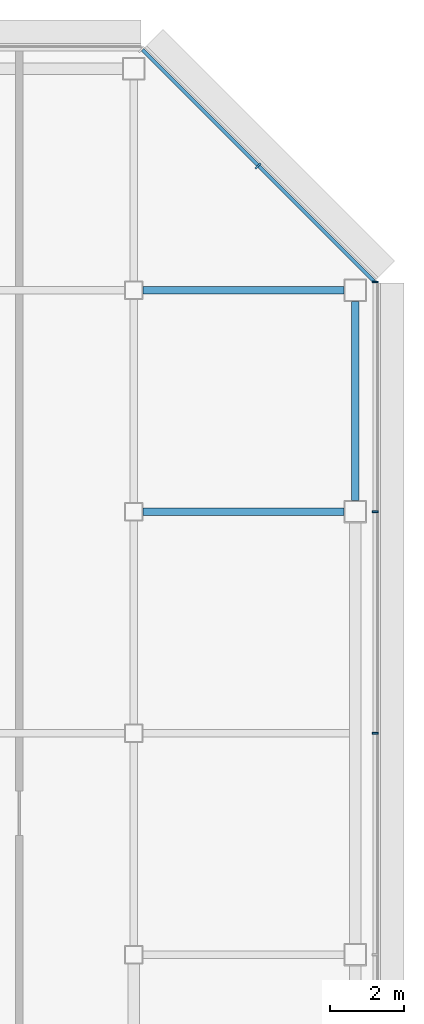
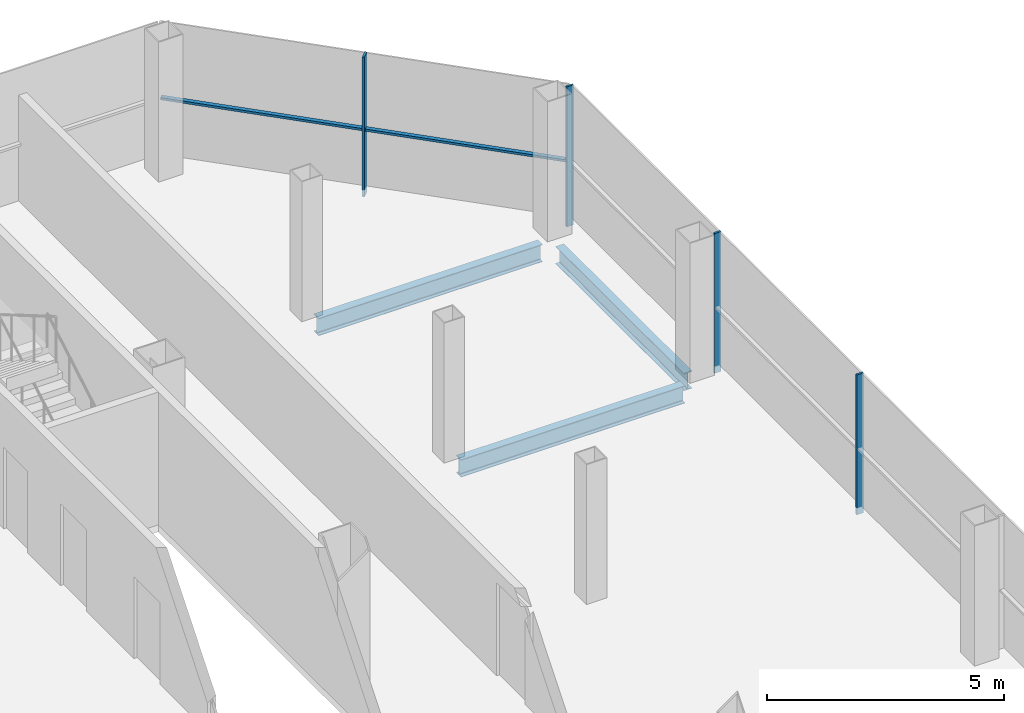
# One storey, part 20 of 30: 5 members, 3 beams, 2 elements without a shape of their own.
"""IFC4 building model written with IfcOpenShell, lengths in metres."""

from ifc_helpers import new_model, si_unit, direction, frame, origin, origin_2d, place, context, subcontext, project, spatial, rectangle, i_section, extrude, material, material_profile, profile_set, type_object, element, aggregate, save


model = new_model("IFC4")

# Units and contexts
model_context = context("Model", 3, precision=1e-05, world=origin(), true_north=direction((0.0, 1.0)))
body_context = subcontext(model_context, "Body", "Model", "MODEL_VIEW")
ifc_project = project(units=[si_unit("LENGTHUNIT", "METRE"), si_unit("AREAUNIT", "SQUARE_METRE"), si_unit("VOLUMEUNIT", "CUBIC_METRE"), si_unit("PLANEANGLEUNIT", "RADIAN"), si_unit("MASSUNIT", "GRAM", prefix="KILO")], contexts=[model_context])

# Site, building, storey
site_placement = place(None, origin())
site = spatial("IfcSite", under=ifc_project, at=site_placement, CompositionType="ELEMENT")
building_placement = place(site_placement, origin())
building = spatial("IfcBuilding", under=site, at=building_placement, Name="Sorahane Residences", CompositionType="ELEMENT")
storey_placement = place(building_placement, frame((0.0, 0.0, 263.0)))
storey = spatial("IfcBuildingStorey", under=building, at=storey_placement, Name="L62", CompositionType="ELEMENT", Elevation=263.0)

# Curtain wall, members
ifc_material_1 = material(Name="Dark low-e glass and black anodised aluminium", Category="aluminium")
curtain_wall_type_1 = type_object("IfcCurtainWallType", Name="Curtain wall CW-1 Typical unitised wall", PredefinedType="NOTDEFINED", material=ifc_material_1)
curtain_wall_1_placement = place(storey_placement, origin())
curtain_wall_1 = element("IfcCurtainWall", 1, at=curtain_wall_1_placement, inside=storey, type_object=curtain_wall_type_1, Name="CW-1 curtain wall L62 E2", PredefinedType="NOTDEFINED")
ifc_material_2 = material(Name="Black anodised aluminium", Category="aluminium")
ifc_material_profile_1 = material_profile(ifc_material_2, rectangle(XDim=0.159912109375, YDim=0.050048828125, at=origin_2d()), Name="Curtain wall mullion CW-1 black anodised aluminium 50x160")
ifc_profile_set_1 = profile_set([ifc_material_profile_1], Name="Black anodised aluminium")
member_type_1 = type_object("IfcMemberType", Name="Curtain wall mullion CW-1 black anodised aluminium 50x160", PredefinedType="MULLION", material=ifc_profile_set_1)
member_1_placement = place(storey_placement, frame((54.5400390625, 30.0, -0.179931640625), z_axis=(0.0, 0.0, 1.0), x_axis=(1.0, 0.0, 0.0)))
member_1 = element("IfcMember", 2, at=member_1_placement, type_object=member_type_1, Name="CW-1 mullion L62 E2.5", PredefinedType="MULLION", context=body_context, shape_type="SweptSolid", body=[
    extrude(rectangle(XDim=0.159912109375, YDim=0.050048828125, at=origin_2d()), origin(), (0.0, 0.0, 1.0), 3.599853515625),
])
member_2_placement = place(storey_placement, frame((54.5400390625, 36.0, -0.179931640625), z_axis=(0.0, 0.0, 1.0), x_axis=(1.0, 0.0, 0.0)))
member_2 = element("IfcMember", 3, at=member_2_placement, type_object=member_type_1, Name="CW-1 mullion L62 E2.6", PredefinedType="MULLION", context=body_context, shape_type="SweptSolid", body=[
    extrude(rectangle(XDim=0.159912109375, YDim=0.050048828125, at=origin_2d()), origin(), (0.0, 0.0, 1.0), 3.599853515625),
])
member_3_placement = place(storey_placement, frame((54.5400390625, 42.2236328125, -0.179931640625), z_axis=(0.0, 0.0, 1.0), x_axis=(1.0, 0.0, 0.0)))
member_3 = element("IfcMember", 4, at=member_3_placement, type_object=member_type_1, Name="CW-1 mullion L62 E2.7", PredefinedType="MULLION", context=body_context, shape_type="SweptSolid", body=[
    extrude(rectangle(XDim=0.159912109375, YDim=0.050048828125, at=origin_2d()), origin(), (0.0, 0.0, 1.0), 3.599853515625),
])
aggregate(curtain_wall_1, [member_1, member_2, member_3])

ifc_material_3 = material(Name="Dark low-e glass and black anodised aluminium", Category="aluminium")
curtain_wall_type_2 = type_object("IfcCurtainWallType", Name="Curtain wall CW-2 Chamfer unitised wall", PredefinedType="NOTDEFINED", material=ifc_material_3)
curtain_wall_2_placement = place(storey_placement, origin())
curtain_wall_2 = element("IfcCurtainWall", 5, at=curtain_wall_2_placement, inside=storey, type_object=curtain_wall_type_2, Name="CW-2 curtain wall L62 NE1", PredefinedType="NOTDEFINED")
ifc_material_4 = material(Name="Black anodised aluminium", Category="aluminium")
ifc_material_profile_2 = material_profile(ifc_material_4, rectangle(XDim=0.199951171875, YDim=0.050048828125, at=origin_2d()), Name="Curtain wall mullion CW-2 black anodised aluminium 50x200")
ifc_profile_set_2 = profile_set([ifc_material_profile_2], Name="Black anodised aluminium")
member_type_2 = type_object("IfcMemberType", Name="Curtain wall mullion CW-2 black anodised aluminium 50x200", PredefinedType="MULLION", material=ifc_profile_set_2)
member_4_placement = place(storey_placement, frame((51.36767578125, 45.36767578125, -0.179931640625), z_axis=(0.0, 0.0, 1.0), x_axis=(0.707106781187, 0.707106781187, 0.0)))
member_4 = element("IfcMember", 6, at=member_4_placement, type_object=member_type_2, Name="CW-2 mullion L62 NE1.2", PredefinedType="MULLION", context=body_context, shape_type="SweptSolid", body=[
    extrude(rectangle(XDim=0.199951171875, YDim=0.050048828125, at=origin_2d()), origin(), (0.0, 0.0, 1.0), 3.599853515625),
])
ifc_material_5 = material(Name="Black anodised aluminium", Category="aluminium")
ifc_material_profile_3 = material_profile(ifc_material_5, rectangle(XDim=0.10009765625, YDim=0.06005859375, at=origin_2d()), Name="Curtain wall transom CW-2 black anodised aluminium 60x100")
ifc_profile_set_3 = profile_set([ifc_material_profile_3], Name="Black anodised aluminium")
member_type_3 = type_object("IfcMemberType", Name="Curtain wall transom CW-2 black anodised aluminium 60x100", PredefinedType="USERDEFINED", material=ifc_profile_set_3)
member_5_placement = place(storey_placement, frame((54.51513671875, 42.234375, 1.5), z_axis=(-0.707106781187, 0.707106781187, 0.0), x_axis=(-0.707106781187, -0.707106781187, 0.0)))
member_5 = element("IfcMember", 7, at=member_5_placement, type_object=member_type_3, Name="CW-2 transom L62 NE1", ObjectType="TRANSOM", PredefinedType="USERDEFINED", context=body_context, shape_type="SweptSolid", body=[
    extrude(rectangle(XDim=0.10009765625, YDim=0.06005859375, at=origin_2d()), origin(), (0.0, 0.0, 1.0), 8.88232421875),
])
aggregate(curtain_wall_2, [member_4, member_5])

# Beams
ifc_material_6 = material(Name="Steel Q355B", Category="steel")
ifc_material_profile_4 = material_profile(ifc_material_6, i_section(OverallWidth=0.199951171875, OverallDepth=0.449951171875, WebThickness=0.009033203125, FlangeThickness=0.013916015625, FilletRadius=0.02001953125, at=origin_2d()), Name="HN 450x200x9x14")
ifc_profile_set_4 = profile_set([ifc_material_profile_4], Name="Steel Q355B")
beam_type = type_object("IfcBeamType", Name="Steel floor beam HN 450x200x9x14 Q355B", PredefinedType="BEAM", material=ifc_profile_set_4)
beam_1_placement = place(storey_placement, frame((48.25, 36.0, -0.405029296875), z_axis=(1.0, 0.0, 0.0), x_axis=(0.0, 1.0, 0.0)))
element("IfcBeam", 8, at=beam_1_placement, inside=storey, type_object=beam_type, Name="Beam L62 013", PredefinedType="BEAM", context=body_context, shape_type="SweptSolid", body=[
    extrude(i_section(OverallWidth=0.199951171875, OverallDepth=0.449951171875, WebThickness=0.009033203125, FlangeThickness=0.013916015625, FilletRadius=0.02001953125, at=origin_2d()), origin(), (0.0, 0.0, 1.0), 5.449951171875),
])
beam_2_placement = place(storey_placement, frame((54.0, 36.300048828125, -0.405029296875), z_axis=(0.0, 1.0, 0.0), x_axis=(-1.0, 0.0, 0.0)))
element("IfcBeam", 9, at=beam_2_placement, inside=storey, type_object=beam_type, Name="Beam L62 064", PredefinedType="BEAM", context=body_context, shape_type="SweptSolid", body=[
    extrude(i_section(OverallWidth=0.199951171875, OverallDepth=0.449951171875, WebThickness=0.009033203125, FlangeThickness=0.013916015625, FilletRadius=0.02001953125, at=origin_2d()), origin(), (0.0, 0.0, 1.0), 5.39990234375),
])
beam_3_placement = place(storey_placement, frame((48.25, 42.0, -0.405029296875), z_axis=(1.0, 0.0, 0.0), x_axis=(0.0, 1.0, 0.0)))
element("IfcBeam", 10, at=beam_3_placement, inside=storey, type_object=beam_type, Name="Beam L62 087", PredefinedType="BEAM", context=body_context, shape_type="SweptSolid", body=[
    extrude(i_section(OverallWidth=0.199951171875, OverallDepth=0.449951171875, WebThickness=0.009033203125, FlangeThickness=0.013916015625, FilletRadius=0.02001953125, at=origin_2d()), origin(), (0.0, 0.0, 1.0), 5.449951171875),
])

save(model, "model.ifc")
